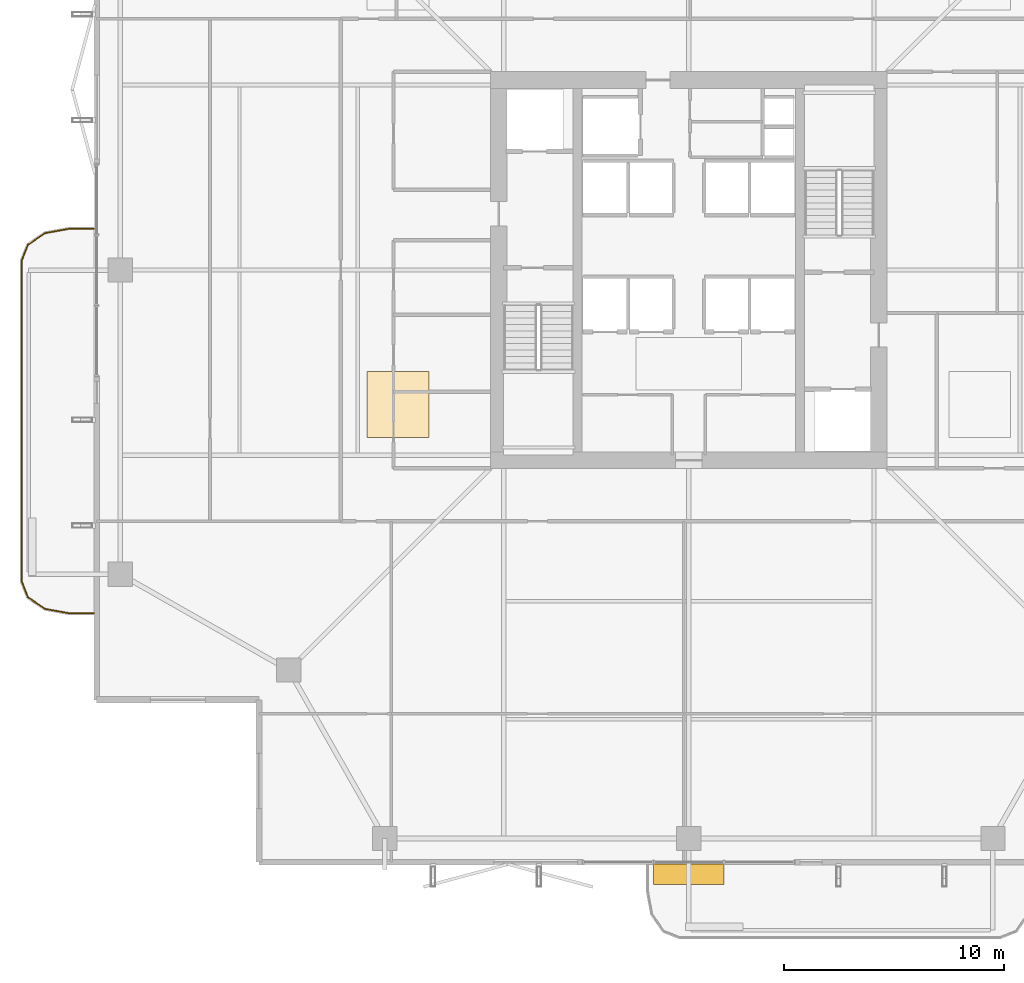
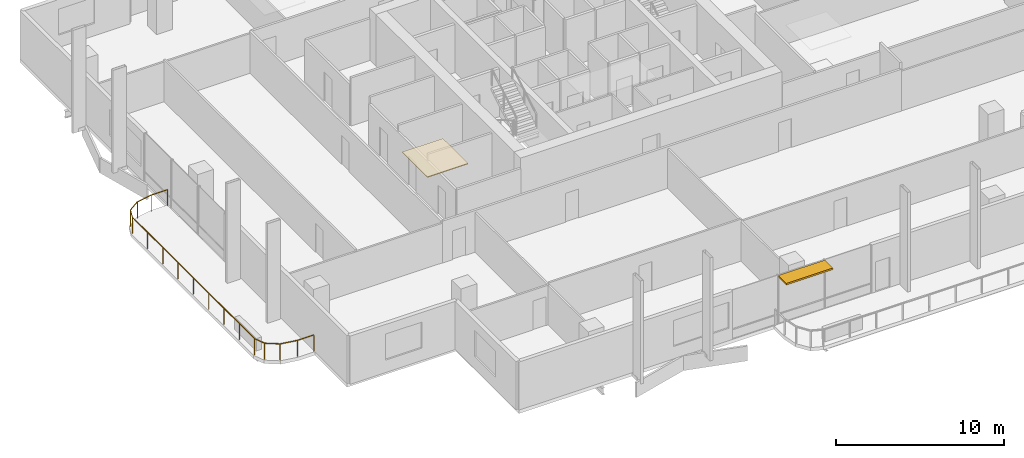
# One storey, part 21 of 24: 1 covering, 1 railing, 1 shading device.
"""IFC4 building model written with IfcOpenShell, lengths in metres."""

from ifc_helpers import new_model, si_unit, direction, frame, origin, origin_2d, place, context, subcontext, project, spatial, polyline, rectangle, outline, extrude, material, layer, layer_set, type_object, element, save


model = new_model("IFC4")

# Units and contexts
model_context = context("Model", 3, precision=1e-05, world=origin(), true_north=direction((0.0, 1.0)))
body_context = subcontext(model_context, "Body", "Model", "MODEL_VIEW")
ifc_project = project(units=[si_unit("LENGTHUNIT", "METRE"), si_unit("AREAUNIT", "SQUARE_METRE"), si_unit("VOLUMEUNIT", "CUBIC_METRE"), si_unit("PLANEANGLEUNIT", "RADIAN"), si_unit("MASSUNIT", "GRAM", prefix="KILO")], contexts=[model_context])

# Site, building, storey
site_placement = place(None, origin())
site = spatial("IfcSite", under=ifc_project, at=site_placement, CompositionType="ELEMENT")
building_placement = place(site_placement, origin())
building = spatial("IfcBuilding", under=site, at=building_placement, Name="Belovzor Exchange Tower", CompositionType="ELEMENT")
storey_placement = place(building_placement, frame((0.0, 0.0, 211.199951171875)))
storey = spatial("IfcBuildingStorey", under=building, at=storey_placement, Name="L52", CompositionType="ELEMENT", Elevation=211.199951171875)

# Railing
ifc_material_1 = material(Name="Stainless Steel and Laminated Safety Glass", Category="steel")
railing_type = type_object("IfcRailingType", Name="Laminated Glass & Stainless Steel Balcony Balustrade 1200", PredefinedType="BALUSTRADE", material=ifc_material_1)
railing_placement = place(storey_placement, frame((1.7900390625, 30.669921875, 0.0)))
element("IfcRailing", 1, at=railing_placement, inside=storey, type_object=railing_type, Name="GR-1 Balcony Balustrade L52 West", PredefinedType="BALUSTRADE", context=body_context, shape_type="SweptSolid", body=[
    extrude(rectangle(XDim=0.048095703125, YDim=0.048095703125, at=origin_2d()), frame((0.0, 0.0, 1.17578125), z_axis=(-1.0, 0.0, 0.0), x_axis=(0.0, -1.0, 0.0)), (0.0, 0.0, 1.0), 1.133056640625),
    extrude(rectangle(XDim=0.048095703125, YDim=0.048095703125, at=origin_2d()), frame((-1.133056640625, 0.0, 1.17578125), z_axis=(-0.983644145941, -0.180122719713, 0.0), x_axis=(0.180122719713, -0.983644145941, 0.0)), (0.0, 0.0, 1.0), 1.09375),
    extrude(rectangle(XDim=0.048095703125, YDim=0.048095703125, at=origin_2d()), frame((-2.208984375, -0.197021484375, 1.17578125), z_axis=(-0.826614792125, -0.562768145367, 0.0), x_axis=(0.562768145367, -0.826614792125, 0.0)), (0.0, 0.0, 1.0), 0.9326171875),
    extrude(rectangle(XDim=0.048095703125, YDim=0.048095703125, at=origin_2d()), frame((-2.97998046875, -0.721923828125, 1.17578125), z_axis=(-0.365612923861, -0.930766990125, 0.0), x_axis=(0.930766990125, -0.365612923861, 0.0)), (0.0, 0.0, 1.0), 0.765869140625),
    extrude(rectangle(XDim=0.048095703125, YDim=0.048095703125, at=origin_2d()), frame((-3.260009765625, -1.434814453125, 1.17578125), z_axis=(0.0, -1.0, 0.0), x_axis=(1.0, 0.0, 0.0)), (0.0, 0.0, 1.0), 14.570068359375),
    extrude(rectangle(XDim=0.048095703125, YDim=0.048095703125, at=origin_2d()), frame((-3.260009765625, -16.0048828125, 1.17578125), z_axis=(0.365504480807, -0.930809580156, 0.0), x_axis=(0.930809580156, 0.365504480807, 0.0)), (0.0, 0.0, 1.0), 0.76611328125),
    extrude(rectangle(XDim=0.048095703125, YDim=0.048095703125, at=origin_2d()), frame((-2.97998046875, -16.718017578125, 1.17578125), z_axis=(0.826614792125, -0.562768145367, 0.0), x_axis=(0.562768145367, 0.826614792125, 0.0)), (0.0, 0.0, 1.0), 0.9326171875),
    extrude(rectangle(XDim=0.048095703125, YDim=0.048095703125, at=origin_2d()), frame((-2.208984375, -17.242919921875, 1.17578125), z_axis=(0.983644145941, -0.180122719713, 0.0), x_axis=(0.180122719713, 0.983644145941, 0.0)), (0.0, 0.0, 1.0), 1.09375),
    extrude(rectangle(XDim=0.048095703125, YDim=0.048095703125, at=origin_2d()), frame((-1.133056640625, -17.43994140625, 1.17578125), z_axis=(1.0, 0.0, 0.0), x_axis=(0.0, 1.0, 0.0)), (0.0, 0.0, 1.0), 1.133056640625),
    extrude(rectangle(XDim=0.0419921875, YDim=0.0419921875, at=origin_2d()), origin(), (0.0, 0.0, 1.0), 1.15185546875),
    extrude(rectangle(XDim=0.0419921875, YDim=0.0419921875, at=origin_2d()), frame((-1.133056640625, 0.0, 0.0)), (0.0, 0.0, 1.0), 1.15185546875),
    extrude(rectangle(XDim=0.0419921875, YDim=0.0419921875, at=origin_2d()), frame((-2.208984375, -0.197021484375, 0.0)), (0.0, 0.0, 1.0), 1.15185546875),
    extrude(rectangle(XDim=0.0419921875, YDim=0.0419921875, at=origin_2d()), frame((-2.97998046875, -0.721923828125, 0.0)), (0.0, 0.0, 1.0), 1.15185546875),
    extrude(rectangle(XDim=0.0419921875, YDim=0.0419921875, at=origin_2d()), frame((-3.260009765625, -1.434814453125, 0.0)), (0.0, 0.0, 1.0), 1.15185546875),
    extrude(rectangle(XDim=0.0419921875, YDim=0.0419921875, at=origin_2d()), frame((-3.260009765625, -3.256103515625, 0.0)), (0.0, 0.0, 1.0), 1.15185546875),
    extrude(rectangle(XDim=0.0419921875, YDim=0.0419921875, at=origin_2d()), frame((-3.260009765625, -5.077392578125, 0.0)), (0.0, 0.0, 1.0), 1.15185546875),
    extrude(rectangle(XDim=0.0419921875, YDim=0.0419921875, at=origin_2d()), frame((-3.260009765625, -6.898681640625, 0.0)), (0.0, 0.0, 1.0), 1.15185546875),
    extrude(rectangle(XDim=0.0419921875, YDim=0.0419921875, at=origin_2d()), frame((-3.260009765625, -8.7197265625, 0.0)), (0.0, 0.0, 1.0), 1.15185546875),
    extrude(rectangle(XDim=0.0419921875, YDim=0.0419921875, at=origin_2d()), frame((-3.260009765625, -10.541015625, 0.0)), (0.0, 0.0, 1.0), 1.15185546875),
    extrude(rectangle(XDim=0.0419921875, YDim=0.0419921875, at=origin_2d()), frame((-3.260009765625, -12.3623046875, 0.0)), (0.0, 0.0, 1.0), 1.15185546875),
    extrude(rectangle(XDim=0.0419921875, YDim=0.0419921875, at=origin_2d()), frame((-3.260009765625, -14.18359375, 0.0)), (0.0, 0.0, 1.0), 1.15185546875),
    extrude(rectangle(XDim=0.0419921875, YDim=0.0419921875, at=origin_2d()), frame((-3.260009765625, -16.0048828125, 0.0)), (0.0, 0.0, 1.0), 1.15185546875),
    extrude(rectangle(XDim=0.0419921875, YDim=0.0419921875, at=origin_2d()), frame((-2.97998046875, -16.718017578125, 0.0)), (0.0, 0.0, 1.0), 1.15185546875),
    extrude(rectangle(XDim=0.0419921875, YDim=0.0419921875, at=origin_2d()), frame((-2.208984375, -17.242919921875, 0.0)), (0.0, 0.0, 1.0), 1.15185546875),
    extrude(rectangle(XDim=0.0419921875, YDim=0.0419921875, at=origin_2d()), frame((-1.133056640625, -17.43994140625, 0.0)), (0.0, 0.0, 1.0), 1.15185546875),
    extrude(rectangle(XDim=0.0419921875, YDim=0.0419921875, at=origin_2d()), frame((0.0, -17.43994140625, 0.0)), (0.0, 0.0, 1.0), 1.15185546875),
])

# Covering
ifc_material_2 = material(Name="Perforated Powder-Coated Aluminium", Category="aluminium")
ifc_layer_1 = layer(ifc_material_2, 0.06005859375)
ifc_layer_set_1 = layer_set([ifc_layer_1], Name="Perforated Powder-Coated Aluminium")
covering_type = type_object("IfcCoveringType", Name="Perforated Acoustic Metal Tile Suspended Ceiling 60", PredefinedType="CEILING", material=ifc_layer_set_1)
covering_placement = place(storey_placement, frame((0.0, 0.0, 3.43994140625)))
element("IfcCovering", 2, at=covering_placement, inside=storey, type_object=covering_type, Name="CLG-AC60 Suspended Ceiling CLG-L52-Z3", PredefinedType="CEILING", context=body_context, shape_type="SweptSolid", body=[
    extrude(outline(polyline([(14.199951171875, 21.199951171875), (17.0, 21.199951171875), (17.0, 24.199951171875), (14.199951171875, 24.199951171875), (14.199951171875, 21.199951171875)])), origin(), (0.0, 0.0, 1.0), 0.06005859375),
])

# Shading device
ifc_material_3 = material(Name="Extruded Architectural Terracotta", Category="masonry")
ifc_layer_2 = layer(ifc_material_3, 0.1201171875)
ifc_layer_set_2 = layer_set([ifc_layer_2], Name="Extruded Architectural Terracotta")
shading_device_type = type_object("IfcShadingDeviceType", Name="Streamline Terracotta Horizontal Sunshade Hood 950", PredefinedType="AWNING", material=ifc_layer_set_2)
shading_device_placement = place(storey_placement, frame((28.800048828125, 1.385009765625, 3.3798828125), z_axis=(0.0, 0.0, 1.0), x_axis=(1.0, 0.0, 0.0)))
element("IfcShadingDevice", 3, at=shading_device_placement, inside=storey, type_object=shading_device_type, Name="SHD-TC095 Terracotta Sunshade L52 S", PredefinedType="AWNING", context=body_context, shape_type="SweptSolid", body=[
    extrude(rectangle(XDim=3.199951171875, YDim=0.949951171875, at=origin_2d()), origin(), (0.0, 0.0, 1.0), 0.1201171875),
])

save(model, "model.ifc")
